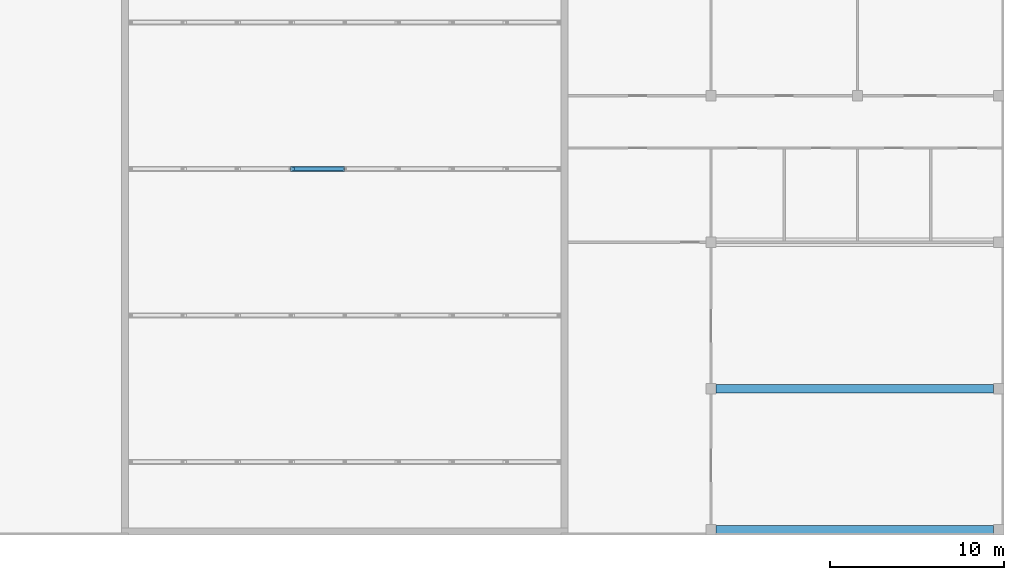
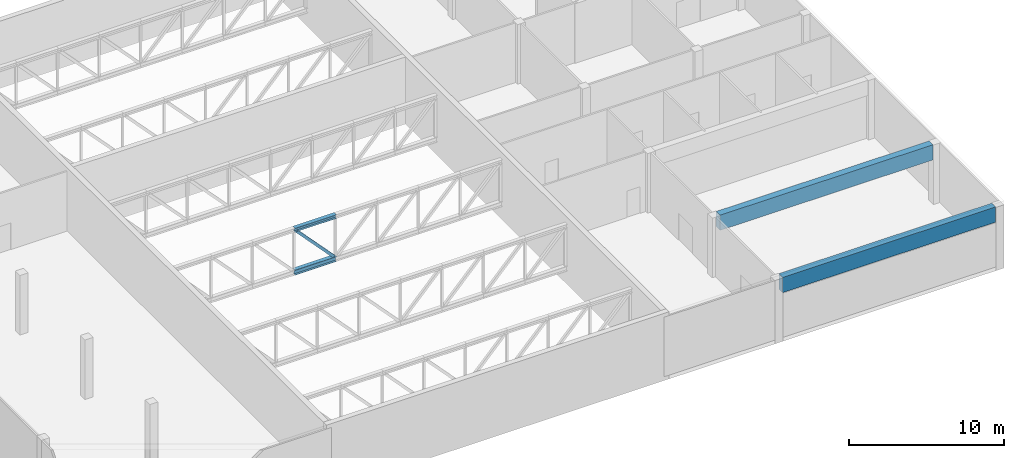
# One storey, part 9 of 26: 3 members, 2 beams.
"""IFC4 building model written with IfcOpenShell, lengths in metres."""

from ifc_helpers import new_model, si_unit, direction, frame, origin, origin_2d, place, context, subcontext, project, spatial, rectangle, hollow_rectangle, i_section, extrude, material, material_profile, profile_set, type_object, element, save


model = new_model("IFC4")

# Units and contexts
model_context = context("Model", 3, precision=1e-05, world=origin(), true_north=direction((0.0, 1.0)))
body_context = subcontext(model_context, "Body", "Model", "MODEL_VIEW")
ifc_project = project(units=[si_unit("LENGTHUNIT", "METRE"), si_unit("AREAUNIT", "SQUARE_METRE"), si_unit("VOLUMEUNIT", "CUBIC_METRE"), si_unit("PLANEANGLEUNIT", "RADIAN"), si_unit("MASSUNIT", "GRAM", prefix="KILO")], contexts=[model_context])

# Site, building, storey
site_placement = place(None, origin())
site = spatial("IfcSite", under=ifc_project, at=site_placement, CompositionType="ELEMENT")
building_placement = place(site_placement, origin())
building = spatial("IfcBuilding", under=site, at=building_placement, Name="Candeia Pilgrim Tower and Theatre", CompositionType="ELEMENT")
storey_placement = place(building_placement, frame((0.0, 0.0, 34.0)))
storey = spatial("IfcBuildingStorey", under=building, at=storey_placement, Name="L05", CompositionType="ELEMENT", Elevation=34.0)

# Beams
ifc_material_1 = material(Name="Concrete C35/45", Category="concrete")
ifc_material_profile_1 = material_profile(ifc_material_1, rectangle(XDim=0.5, YDim=1.199951171875, at=origin_2d()))
ifc_profile_set_1 = profile_set([ifc_material_profile_1], Name="Concrete C35/45")
beam_type = type_object("IfcBeamType", Name="Theatre beam 500x1200", PredefinedType="BEAM", material=ifc_profile_set_1)
for number, where, z_axis, x_axis, name in (
    (1, (226.699951171875, 66.300048828125, 4.10009765625), (1.0, 0.0, 0.0), (0.0, 1.0, 0.0), "Studio beam L05 66"),
    (2, (226.699951171875, 74.39990234375, 4.10009765625), (1.0, 0.0, 0.0), (0.0, 1.0, 0.0), "Studio beam L05 74"),
):
    element("IfcBeam", number, at=place(storey_placement, frame(where, z_axis=z_axis, x_axis=x_axis)), inside=storey, type_object=beam_type, Name=name, PredefinedType="BEAM", context=body_context, shape_type="SweptSolid", body=[
        extrude(rectangle(XDim=0.5, YDim=1.199951171875, at=origin_2d()), origin(), (0.0, 0.0, 1.0), 15.900146484375),
    ])

# Members
ifc_material_2 = material(Name="Steel S355", Category="steel")
ifc_material_profile_2 = material_profile(ifc_material_2, i_section(OverallWidth=0.300048828125, OverallDepth=0.300048828125, WebThickness=0.010986328125, FlangeThickness=0.01904296875, at=origin_2d()))
ifc_profile_set_2 = profile_set([ifc_material_profile_2], Name="Steel S355")
member_type_1 = type_object("IfcMemberType", Name="Truss chord HEB 300", PredefinedType="CHORD", material=ifc_profile_set_2)
member_1_placement = place(storey_placement, frame((202.300048828125, 87.0, 4.35009765625), z_axis=(1.0, 0.0, 0.0), x_axis=(0.0, 1.0, 0.0)))
element("IfcMember", 3, at=member_1_placement, inside=storey, type_object=member_type_1, Name="Truss 3 top chord 4", PredefinedType="CHORD", context=body_context, shape_type="SweptSolid", body=[
    extrude(i_section(OverallWidth=0.300048828125, OverallDepth=0.300048828125, WebThickness=0.010986328125, FlangeThickness=0.01904296875, at=origin_2d()), origin(), (0.0, 0.0, 1.0), 3.099853515625),
])
ifc_material_profile_3 = material_profile(ifc_material_2, i_section(OverallWidth=0.300048828125, OverallDepth=0.39990234375, WebThickness=0.013427734375, FlangeThickness=0.02392578125, at=origin_2d()))
ifc_profile_set_3 = profile_set([ifc_material_profile_3], Name="Steel S355")
member_type_2 = type_object("IfcMemberType", Name="Truss chord HEB 400", PredefinedType="CHORD", material=ifc_profile_set_3)
member_2_placement = place(storey_placement, frame((202.300048828125, 87.0, 1.0), z_axis=(1.0, 0.0, 0.0), x_axis=(0.0, 1.0, 0.0)))
element("IfcMember", 4, at=member_2_placement, inside=storey, type_object=member_type_2, Name="Truss 3 bottom chord 4", PredefinedType="CHORD", context=body_context, shape_type="SweptSolid", body=[
    extrude(i_section(OverallWidth=0.300048828125, OverallDepth=0.39990234375, WebThickness=0.013427734375, FlangeThickness=0.02392578125, at=origin_2d()), origin(), (0.0, 0.0, 1.0), 3.099853515625),
])
ifc_material_profile_4 = material_profile(ifc_material_2, hollow_rectangle(XDim=0.199951171875, YDim=0.199951171875, WallThickness=0.010009765625, at=origin_2d()))
ifc_profile_set_4 = profile_set([ifc_material_profile_4], Name="Steel S355")
member_type_3 = type_object("IfcMemberType", Name="Truss diagonal SHS 200x200x10", PredefinedType="BRACE", material=ifc_profile_set_4)
member_3_placement = place(storey_placement, frame((202.449951171875, 87.0, 4.199951171875), z_axis=(0.682324609438, 0.0, -0.731049333052), x_axis=(0.0, 1.0, 0.0)))
element("IfcMember", 5, at=member_3_placement, inside=storey, type_object=member_type_3, Name="Truss 3 diagonal 4", PredefinedType="BRACE", context=body_context, shape_type="SweptSolid", body=[
    extrude(hollow_rectangle(XDim=0.199951171875, YDim=0.199951171875, WallThickness=0.010009765625, at=origin_2d()), origin(), (0.0, 0.0, 1.0), 4.103759765625),
])

save(model, "model.ifc")
